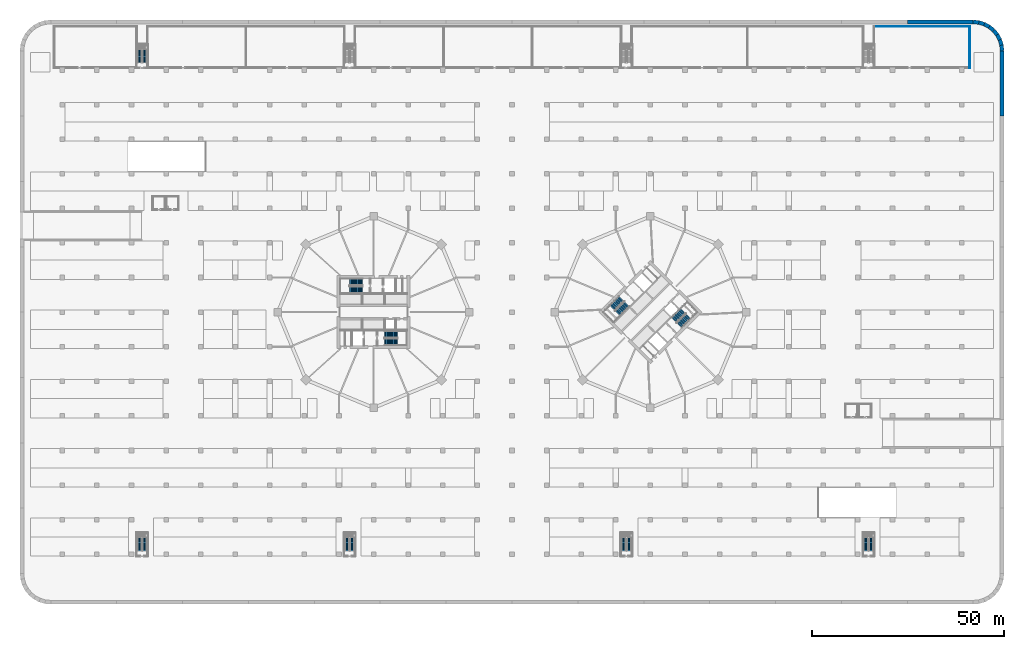
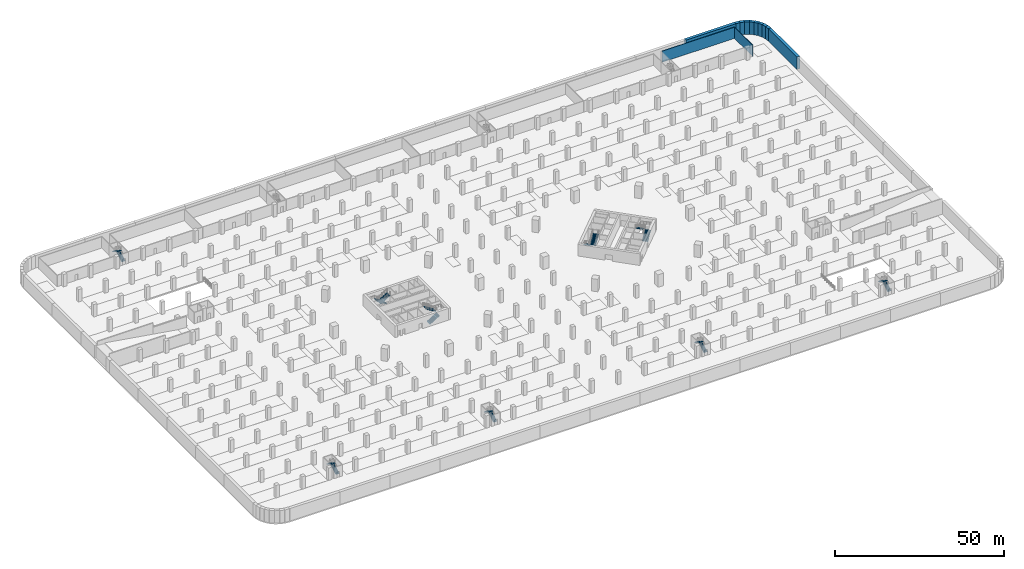
# One storey, part 19 of 34: 18 stair flights, 12 walls, 9 elements without a shape of their own.
"""IFC4 building model written with IfcOpenShell, lengths in metres."""

from ifc_helpers import new_model, si_unit, direction, frame, frame_2d, origin, place, context, subcontext, project, spatial, polyline, rectangle, outline, extrude, material, layer, layer_set, type_object, element, aggregate, save


model = new_model("IFC4")

# Units and contexts
model_context = context("Model", 3, precision=1e-05, world=origin(), true_north=direction((0.0, 1.0)))
body_context = subcontext(model_context, "Body", "Model", "MODEL_VIEW")
ifc_project = project(units=[si_unit("LENGTHUNIT", "METRE"), si_unit("AREAUNIT", "SQUARE_METRE"), si_unit("VOLUMEUNIT", "CUBIC_METRE"), si_unit("PLANEANGLEUNIT", "RADIAN"), si_unit("MASSUNIT", "GRAM", prefix="KILO")], contexts=[model_context])

# Site, building, storey
site_placement = place(None, origin())
site = spatial("IfcSite", under=ifc_project, at=site_placement, CompositionType="ELEMENT")
building_placement = place(site_placement, origin())
building = spatial("IfcBuilding", under=site, at=building_placement, Name="Ogive Gate Towers", CompositionType="ELEMENT")
storey_placement = place(building_placement, frame((0.0, 0.0, -4.5)))
storey = spatial("IfcBuildingStorey", under=building, at=storey_placement, Name="B1", CompositionType="ELEMENT", Elevation=-4.5)

# Walls
ifc_material_1 = material(Name="Blockwork", Category="masonry")
ifc_layer_1 = layer(ifc_material_1, 0.199951171875)
ifc_layer_set_1 = layer_set([ifc_layer_1], Name="Plant room wall 200")
wall_type_1 = type_object("IfcWallType", Name="Plant room wall 200", PredefinedType="PARTITIONING", material=ifc_layer_set_1)
wall_1_placement = place(storey_placement, frame((119.10009765625, 63.5, 0.0), z_axis=(0.0, 0.0, 1.0), x_axis=(0.0, 1.0, 0.0)))
element("IfcWall", 1, at=wall_1_placement, inside=storey, type_object=wall_type_1, Name="Plant room wall B1-022", PredefinedType="PARTITIONING", context=body_context, shape_type="SweptSolid", body=[
    extrude(rectangle(XDim=10.89990234375, YDim=0.199951171875, at=frame_2d((5.449951171875, 0.0))), origin(), (0.0, 0.0, 1.0), 4.050048828125),
])
wall_2_placement = place(storey_placement, frame((94.25, 74.300048828125, 0.0), z_axis=(0.0, 0.0, 1.0), x_axis=(1.0, 0.0, 0.0)))
element("IfcWall", 2, at=wall_2_placement, inside=storey, type_object=wall_type_1, Name="Plant room wall B1-048", PredefinedType="PARTITIONING", context=body_context, shape_type="SweptSolid", body=[
    extrude(rectangle(XDim=24.75, YDim=0.199951171875, at=frame_2d((12.375, 0.0))), origin(), (0.0, 0.0, 1.0), 4.050048828125),
])
ifc_material_2 = material(Name="Concrete C40/50", Category="concrete")
ifc_layer_2 = layer(ifc_material_2, 1.0)
ifc_layer_set_2 = layer_set([ifc_layer_2], Name="Retaining wall 1000")
wall_type_2 = type_object("IfcWallType", Name="Retaining wall 1000", PredefinedType="SOLIDWALL", material=ifc_layer_set_2)
wall_3_placement = place(storey_placement, frame((102.836181640625, 75.5, 0.0), z_axis=(0.0, 0.0, 1.0), x_axis=(1.0, 0.0, 0.0)))
element("IfcWall", 3, at=wall_3_placement, inside=storey, type_object=wall_type_2, Name="BS/B1/SWL053", PredefinedType="SOLIDWALL", context=body_context, shape_type="SweptSolid", body=[
    extrude(rectangle(XDim=17.13916015625, YDim=1.0, at=frame_2d((8.569580078125, 0.0))), origin(), (0.0, 0.0, 1.0), 4.5),
])
wall_4_placement = place(storey_placement, frame((119.975341796875, 75.5, 0.0), z_axis=(0.0, 0.0, 1.0), x_axis=(0.995184880112, -0.098015582414, 0.0)))
element("IfcWall", 4, at=wall_4_placement, inside=storey, type_object=wall_type_2, Name="BS/B1/SWL054", PredefinedType="SOLIDWALL", context=body_context, shape_type="SweptSolid", body=[
    extrude(rectangle(XDim=1.494384765625, YDim=1.0, at=frame_2d((0.7470703125, 0.0))), origin(), (0.0, 0.0, 1.0), 4.5),
])
for number, where, z_axis, x_axis, name in (
    (5, (121.462646484375, 75.353515625, 0.0), (0.0, 0.0, 1.0), (0.956920965645, -0.290348524206, 0.0), "BS/B1/SWL055"),
    (6, (122.869140625, 74.9267578125, 0.0), (0.0, 0.0, 1.0), (0.882007853381, -0.471234704339, 0.0), "BS/B1/SWL056"),
    (7, (124.16552734375, 74.234130859375, 0.0), (0.0, 0.0, 1.0), (0.772897900132, -0.634530405868, 0.0), "BS/B1/SWL057"),
    (8, (125.301513671875, 73.301513671875, 0.0), (0.0, 0.0, 1.0), (0.634530405868, -0.772897900132, 0.0), "BS/B1/SWL058"),
    (9, (126.234130859375, 72.16552734375, 0.0), (0.0, 0.0, 1.0), (0.471234704339, -0.882007853381, 0.0), "BS/B1/SWL059"),
    (10, (126.9267578125, 70.869140625, 0.0), (0.0, 0.0, 1.0), (0.290348524206, -0.956920965645, 0.0), "BS/B1/SWL060"),
):
    element("IfcWall", number, at=place(storey_placement, frame(where, z_axis=z_axis, x_axis=x_axis)), inside=storey, type_object=wall_type_2, Name=name, PredefinedType="SOLIDWALL", context=body_context, shape_type="SweptSolid", body=[
        extrude(rectangle(XDim=1.4697265625, YDim=1.0, at=frame_2d((0.73486328125, 0.0))), origin(), (0.0, 0.0, 1.0), 4.5),
    ])
wall_5_placement = place(storey_placement, frame((127.353515625, 69.462646484375, 0.0), z_axis=(0.0, 0.0, 1.0), x_axis=(0.098015582414, -0.995184880112, 0.0)))
element("IfcWall", 11, at=wall_5_placement, inside=storey, type_object=wall_type_2, Name="BS/B1/SWL061", PredefinedType="SOLIDWALL", context=body_context, shape_type="SweptSolid", body=[
    extrude(rectangle(XDim=1.494384765625, YDim=1.0, at=frame_2d((0.7470703125, 0.0))), origin(), (0.0, 0.0, 1.0), 4.5),
])
wall_6_placement = place(storey_placement, frame((127.5, 67.975341796875, 0.0), z_axis=(0.0, 0.0, 1.0), x_axis=(0.0, -1.0, 0.0)))
element("IfcWall", 12, at=wall_6_placement, inside=storey, type_object=wall_type_2, Name="BS/B1/SWL062", PredefinedType="SOLIDWALL", context=body_context, shape_type="SweptSolid", body=[
    extrude(rectangle(XDim=16.99365234375, YDim=1.0, at=frame_2d((8.496826171875, 0.0))), origin(), (0.0, 0.0, 1.0), 4.5),
])

# Stair, stair flights
ifc_material_3 = material(Name="Reinforced concrete C32/40", Category="concrete")
stair_type_1 = type_object("IfcStairType", Name="Car park escape stair 173 x 280", PredefinedType="HALF_TURN_STAIR", material=ifc_material_3)
stair_1_placement = place(storey_placement, origin())
stair_1 = element("IfcStair", 13, at=stair_1_placement, inside=storey, type_object=stair_type_1, Name="B1 escape stair", PredefinedType="HALF_TURN_STAIR")
stair_flight_type_1 = type_object("IfcStairFlightType", Name="Car park escape stair flight 173 x 280", PredefinedType="STRAIGHT", material=ifc_material_3)
stair_flight_1_placement = place(storey_placement, frame((-95.550048828125, 64.89990234375, 0.0), z_axis=(0.0, 0.0, 1.0), x_axis=(0.0, 1.0, 0.0)))
stair_flight_1 = element("IfcStairFlight", 14, at=stair_flight_1_placement, type_object=stair_flight_type_1, Name="CS1 flight 1", NumberOfRisers=13, NumberOfTreads=12, PredefinedType="STRAIGHT", RiserHeight=0.173076923, TreadLength=0.28, context=body_context, shape_type="SweptSolid", body=[
    extrude(outline(polyline([(0.0, 0.0), (0.0, 0.173095703125), (0.280029296875, 0.173095703125), (0.280029296875, 0.34619140625), (0.56005859375, 0.34619140625), (0.56005859375, 0.519287109375), (0.840087890625, 0.519287109375), (0.840087890625, 0.6923828125), (1.1201171875, 0.6923828125), (1.1201171875, 0.865478515625), (1.39990234375, 0.865478515625), (1.39990234375, 1.03857421875), (1.679931640625, 1.03857421875), (1.679931640625, 1.21142578125), (1.9599609375, 1.21142578125), (1.9599609375, 1.384521484375), (2.239990234375, 1.384521484375), (2.239990234375, 1.5576171875), (2.52001953125, 1.5576171875), (2.52001953125, 1.730712890625), (2.800048828125, 1.730712890625), (2.800048828125, 1.90380859375), (3.080078125, 1.90380859375), (3.080078125, 2.076904296875), (3.360107421875, 2.076904296875), (3.360107421875, 2.25), (3.360107421875, 1.900634765625), (0.28515625, 0.0), (0.0, 0.0)])), frame((0.0, 0.60009765625, 0.0), z_axis=(0.0, -1.0, 0.0), x_axis=(1.0, 0.0, 0.0)), (0.0, 0.0, 1.0), 1.199951171875),
])
stair_flight_2_placement = place(storey_placement, frame((-96.89990234375, 68.260009765625, 2.25), z_axis=(0.0, 0.0, 1.0), x_axis=(0.0, -1.0, 0.0)))
stair_flight_2 = element("IfcStairFlight", 15, at=stair_flight_2_placement, type_object=stair_flight_type_1, Name="CS1 flight 2", NumberOfRisers=13, NumberOfTreads=12, PredefinedType="STRAIGHT", RiserHeight=0.173076923, TreadLength=0.28, context=body_context, shape_type="SweptSolid", body=[
    extrude(outline(polyline([(0.0, 0.0), (0.0, 0.173095703125), (0.280029296875, 0.173095703125), (0.280029296875, 0.34619140625), (0.56005859375, 0.34619140625), (0.56005859375, 0.519287109375), (0.840087890625, 0.519287109375), (0.840087890625, 0.6923828125), (1.1201171875, 0.6923828125), (1.1201171875, 0.865478515625), (1.39990234375, 0.865478515625), (1.39990234375, 1.03857421875), (1.679931640625, 1.03857421875), (1.679931640625, 1.21142578125), (1.9599609375, 1.21142578125), (1.9599609375, 1.384521484375), (2.239990234375, 1.384521484375), (2.239990234375, 1.5576171875), (2.52001953125, 1.5576171875), (2.52001953125, 1.730712890625), (2.800048828125, 1.730712890625), (2.800048828125, 1.90380859375), (3.080078125, 1.90380859375), (3.080078125, 2.076904296875), (3.360107421875, 2.076904296875), (3.360107421875, 2.25), (3.360107421875, 1.900634765625), (0.28515625, 0.0), (0.0, 0.0)])), frame((0.0, 0.60009765625, 0.0), z_axis=(0.0, -1.0, 0.0), x_axis=(1.0, 0.0, 0.0)), (0.0, 0.0, 1.0), 1.199951171875),
])
aggregate(stair_1, [stair_flight_1, stair_flight_2])

stair_2_placement = place(storey_placement, origin())
stair_2 = element("IfcStair", 16, at=stair_2_placement, inside=storey, type_object=stair_type_1, Name="B1 escape stair", PredefinedType="HALF_TURN_STAIR")
stair_flight_3_placement = place(storey_placement, frame((-95.550048828125, -62.10009765625, 0.0), z_axis=(0.0, 0.0, 1.0), x_axis=(0.0, 1.0, 0.0)))
stair_flight_3 = element("IfcStairFlight", 17, at=stair_flight_3_placement, type_object=stair_flight_type_1, Name="CS5 flight 1", NumberOfRisers=13, NumberOfTreads=12, PredefinedType="STRAIGHT", RiserHeight=0.173076923, TreadLength=0.28, context=body_context, shape_type="SweptSolid", body=[
    extrude(outline(polyline([(0.0, 0.0), (0.0, 0.173095703125), (0.280029296875, 0.173095703125), (0.280029296875, 0.34619140625), (0.56005859375, 0.34619140625), (0.56005859375, 0.519287109375), (0.840087890625, 0.519287109375), (0.840087890625, 0.6923828125), (1.1201171875, 0.6923828125), (1.1201171875, 0.865478515625), (1.39990234375, 0.865478515625), (1.39990234375, 1.03857421875), (1.679931640625, 1.03857421875), (1.679931640625, 1.21142578125), (1.9599609375, 1.21142578125), (1.9599609375, 1.384521484375), (2.239990234375, 1.384521484375), (2.239990234375, 1.5576171875), (2.52001953125, 1.5576171875), (2.52001953125, 1.730712890625), (2.800048828125, 1.730712890625), (2.800048828125, 1.90380859375), (3.080078125, 1.90380859375), (3.080078125, 2.076904296875), (3.360107421875, 2.076904296875), (3.360107421875, 2.25), (3.360107421875, 1.900634765625), (0.28515625, 0.0), (0.0, 0.0)])), frame((0.0, 0.60009765625, 0.0), z_axis=(0.0, -1.0, 0.0), x_axis=(1.0, 0.0, 0.0)), (0.0, 0.0, 1.0), 1.199951171875),
])
stair_flight_4_placement = place(storey_placement, frame((-96.89990234375, -58.739990234375, 2.25), z_axis=(0.0, 0.0, 1.0), x_axis=(0.0, -1.0, 0.0)))
stair_flight_4 = element("IfcStairFlight", 18, at=stair_flight_4_placement, type_object=stair_flight_type_1, Name="CS5 flight 2", NumberOfRisers=13, NumberOfTreads=12, PredefinedType="STRAIGHT", RiserHeight=0.173076923, TreadLength=0.28, context=body_context, shape_type="SweptSolid", body=[
    extrude(outline(polyline([(0.0, 0.0), (0.0, 0.173095703125), (0.280029296875, 0.173095703125), (0.280029296875, 0.34619140625), (0.56005859375, 0.34619140625), (0.56005859375, 0.519287109375), (0.840087890625, 0.519287109375), (0.840087890625, 0.6923828125), (1.1201171875, 0.6923828125), (1.1201171875, 0.865478515625), (1.39990234375, 0.865478515625), (1.39990234375, 1.03857421875), (1.679931640625, 1.03857421875), (1.679931640625, 1.21142578125), (1.9599609375, 1.21142578125), (1.9599609375, 1.384521484375), (2.239990234375, 1.384521484375), (2.239990234375, 1.5576171875), (2.52001953125, 1.5576171875), (2.52001953125, 1.730712890625), (2.800048828125, 1.730712890625), (2.800048828125, 1.90380859375), (3.080078125, 1.90380859375), (3.080078125, 2.076904296875), (3.360107421875, 2.076904296875), (3.360107421875, 2.25), (3.360107421875, 1.900634765625), (0.28515625, 0.0), (0.0, 0.0)])), frame((0.0, 0.60009765625, 0.0), z_axis=(0.0, -1.0, 0.0), x_axis=(1.0, 0.0, 0.0)), (0.0, 0.0, 1.0), 1.199951171875),
])
aggregate(stair_2, [stair_flight_3, stair_flight_4])

stair_3_placement = place(storey_placement, origin())
stair_3 = element("IfcStair", 19, at=stair_3_placement, inside=storey, type_object=stair_type_1, Name="B1 escape stair", PredefinedType="HALF_TURN_STAIR")
stair_flight_5_placement = place(storey_placement, frame((-41.550048828125, -62.10009765625, 0.0), z_axis=(0.0, 0.0, 1.0), x_axis=(0.0, 1.0, 0.0)))
stair_flight_5 = element("IfcStairFlight", 20, at=stair_flight_5_placement, type_object=stair_flight_type_1, Name="CS6 flight 1", NumberOfRisers=13, NumberOfTreads=12, PredefinedType="STRAIGHT", RiserHeight=0.173076923, TreadLength=0.28, context=body_context, shape_type="SweptSolid", body=[
    extrude(outline(polyline([(0.0, 0.0), (0.0, 0.173095703125), (0.280029296875, 0.173095703125), (0.280029296875, 0.34619140625), (0.56005859375, 0.34619140625), (0.56005859375, 0.519287109375), (0.840087890625, 0.519287109375), (0.840087890625, 0.6923828125), (1.1201171875, 0.6923828125), (1.1201171875, 0.865478515625), (1.39990234375, 0.865478515625), (1.39990234375, 1.03857421875), (1.679931640625, 1.03857421875), (1.679931640625, 1.21142578125), (1.9599609375, 1.21142578125), (1.9599609375, 1.384521484375), (2.239990234375, 1.384521484375), (2.239990234375, 1.5576171875), (2.52001953125, 1.5576171875), (2.52001953125, 1.730712890625), (2.800048828125, 1.730712890625), (2.800048828125, 1.90380859375), (3.080078125, 1.90380859375), (3.080078125, 2.076904296875), (3.360107421875, 2.076904296875), (3.360107421875, 2.25), (3.360107421875, 1.900634765625), (0.28515625, 0.0), (0.0, 0.0)])), frame((0.0, 0.60009765625, 0.0), z_axis=(0.0, -1.0, 0.0), x_axis=(1.0, 0.0, 0.0)), (0.0, 0.0, 1.0), 1.199951171875),
])
stair_flight_6_placement = place(storey_placement, frame((-42.89990234375, -58.739990234375, 2.25), z_axis=(0.0, 0.0, 1.0), x_axis=(0.0, -1.0, 0.0)))
stair_flight_6 = element("IfcStairFlight", 21, at=stair_flight_6_placement, type_object=stair_flight_type_1, Name="CS6 flight 2", NumberOfRisers=13, NumberOfTreads=12, PredefinedType="STRAIGHT", RiserHeight=0.173076923, TreadLength=0.28, context=body_context, shape_type="SweptSolid", body=[
    extrude(outline(polyline([(0.0, 0.0), (0.0, 0.173095703125), (0.280029296875, 0.173095703125), (0.280029296875, 0.34619140625), (0.56005859375, 0.34619140625), (0.56005859375, 0.519287109375), (0.840087890625, 0.519287109375), (0.840087890625, 0.6923828125), (1.1201171875, 0.6923828125), (1.1201171875, 0.865478515625), (1.39990234375, 0.865478515625), (1.39990234375, 1.03857421875), (1.679931640625, 1.03857421875), (1.679931640625, 1.21142578125), (1.9599609375, 1.21142578125), (1.9599609375, 1.384521484375), (2.239990234375, 1.384521484375), (2.239990234375, 1.5576171875), (2.52001953125, 1.5576171875), (2.52001953125, 1.730712890625), (2.800048828125, 1.730712890625), (2.800048828125, 1.90380859375), (3.080078125, 1.90380859375), (3.080078125, 2.076904296875), (3.360107421875, 2.076904296875), (3.360107421875, 2.25), (3.360107421875, 1.900634765625), (0.28515625, 0.0), (0.0, 0.0)])), frame((0.0, 0.60009765625, 0.0), z_axis=(0.0, -1.0, 0.0), x_axis=(1.0, 0.0, 0.0)), (0.0, 0.0, 1.0), 1.199951171875),
])
aggregate(stair_3, [stair_flight_5, stair_flight_6])

stair_4_placement = place(storey_placement, origin())
stair_4 = element("IfcStair", 22, at=stair_4_placement, inside=storey, type_object=stair_type_1, Name="B1 escape stair", PredefinedType="HALF_TURN_STAIR")
stair_flight_7_placement = place(storey_placement, frame((30.449951171875, -62.10009765625, 0.0), z_axis=(0.0, 0.0, 1.0), x_axis=(0.0, 1.0, 0.0)))
stair_flight_7 = element("IfcStairFlight", 23, at=stair_flight_7_placement, type_object=stair_flight_type_1, Name="CS7 flight 1", NumberOfRisers=13, NumberOfTreads=12, PredefinedType="STRAIGHT", RiserHeight=0.173076923, TreadLength=0.28, context=body_context, shape_type="SweptSolid", body=[
    extrude(outline(polyline([(0.0, 0.0), (0.0, 0.173095703125), (0.280029296875, 0.173095703125), (0.280029296875, 0.34619140625), (0.56005859375, 0.34619140625), (0.56005859375, 0.519287109375), (0.840087890625, 0.519287109375), (0.840087890625, 0.6923828125), (1.1201171875, 0.6923828125), (1.1201171875, 0.865478515625), (1.39990234375, 0.865478515625), (1.39990234375, 1.03857421875), (1.679931640625, 1.03857421875), (1.679931640625, 1.21142578125), (1.9599609375, 1.21142578125), (1.9599609375, 1.384521484375), (2.239990234375, 1.384521484375), (2.239990234375, 1.5576171875), (2.52001953125, 1.5576171875), (2.52001953125, 1.730712890625), (2.800048828125, 1.730712890625), (2.800048828125, 1.90380859375), (3.080078125, 1.90380859375), (3.080078125, 2.076904296875), (3.360107421875, 2.076904296875), (3.360107421875, 2.25), (3.360107421875, 1.900634765625), (0.28515625, 0.0), (0.0, 0.0)])), frame((0.0, 0.60009765625, 0.0), z_axis=(0.0, -1.0, 0.0), x_axis=(1.0, 0.0, 0.0)), (0.0, 0.0, 1.0), 1.199951171875),
])
stair_flight_8_placement = place(storey_placement, frame((29.10009765625, -58.739990234375, 2.25), z_axis=(0.0, 0.0, 1.0), x_axis=(0.0, -1.0, 0.0)))
stair_flight_8 = element("IfcStairFlight", 24, at=stair_flight_8_placement, type_object=stair_flight_type_1, Name="CS7 flight 2", NumberOfRisers=13, NumberOfTreads=12, PredefinedType="STRAIGHT", RiserHeight=0.173076923, TreadLength=0.28, context=body_context, shape_type="SweptSolid", body=[
    extrude(outline(polyline([(0.0, 0.0), (0.0, 0.173095703125), (0.280029296875, 0.173095703125), (0.280029296875, 0.34619140625), (0.56005859375, 0.34619140625), (0.56005859375, 0.519287109375), (0.840087890625, 0.519287109375), (0.840087890625, 0.6923828125), (1.1201171875, 0.6923828125), (1.1201171875, 0.865478515625), (1.39990234375, 0.865478515625), (1.39990234375, 1.03857421875), (1.679931640625, 1.03857421875), (1.679931640625, 1.21142578125), (1.9599609375, 1.21142578125), (1.9599609375, 1.384521484375), (2.239990234375, 1.384521484375), (2.239990234375, 1.5576171875), (2.52001953125, 1.5576171875), (2.52001953125, 1.730712890625), (2.800048828125, 1.730712890625), (2.800048828125, 1.90380859375), (3.080078125, 1.90380859375), (3.080078125, 2.076904296875), (3.360107421875, 2.076904296875), (3.360107421875, 2.25), (3.360107421875, 1.900634765625), (0.28515625, 0.0), (0.0, 0.0)])), frame((0.0, 0.60009765625, 0.0), z_axis=(0.0, -1.0, 0.0), x_axis=(1.0, 0.0, 0.0)), (0.0, 0.0, 1.0), 1.199951171875),
])
aggregate(stair_4, [stair_flight_7, stair_flight_8])

stair_5_placement = place(storey_placement, origin())
stair_5 = element("IfcStair", 25, at=stair_5_placement, inside=storey, type_object=stair_type_1, Name="B1 escape stair", PredefinedType="HALF_TURN_STAIR")
stair_flight_9_placement = place(storey_placement, frame((93.449951171875, -62.10009765625, 0.0), z_axis=(0.0, 0.0, 1.0), x_axis=(0.0, 1.0, 0.0)))
stair_flight_9 = element("IfcStairFlight", 26, at=stair_flight_9_placement, type_object=stair_flight_type_1, Name="CS8 flight 1", NumberOfRisers=13, NumberOfTreads=12, PredefinedType="STRAIGHT", RiserHeight=0.173076923, TreadLength=0.28, context=body_context, shape_type="SweptSolid", body=[
    extrude(outline(polyline([(0.0, 0.0), (0.0, 0.173095703125), (0.280029296875, 0.173095703125), (0.280029296875, 0.34619140625), (0.56005859375, 0.34619140625), (0.56005859375, 0.519287109375), (0.840087890625, 0.519287109375), (0.840087890625, 0.6923828125), (1.1201171875, 0.6923828125), (1.1201171875, 0.865478515625), (1.39990234375, 0.865478515625), (1.39990234375, 1.03857421875), (1.679931640625, 1.03857421875), (1.679931640625, 1.21142578125), (1.9599609375, 1.21142578125), (1.9599609375, 1.384521484375), (2.239990234375, 1.384521484375), (2.239990234375, 1.5576171875), (2.52001953125, 1.5576171875), (2.52001953125, 1.730712890625), (2.800048828125, 1.730712890625), (2.800048828125, 1.90380859375), (3.080078125, 1.90380859375), (3.080078125, 2.076904296875), (3.360107421875, 2.076904296875), (3.360107421875, 2.25), (3.360107421875, 1.900634765625), (0.28515625, 0.0), (0.0, 0.0)])), frame((0.0, 0.60009765625, 0.0), z_axis=(0.0, -1.0, 0.0), x_axis=(1.0, 0.0, 0.0)), (0.0, 0.0, 1.0), 1.199951171875),
])
stair_flight_10_placement = place(storey_placement, frame((92.10009765625, -58.739990234375, 2.25), z_axis=(0.0, 0.0, 1.0), x_axis=(0.0, -1.0, 0.0)))
stair_flight_10 = element("IfcStairFlight", 27, at=stair_flight_10_placement, type_object=stair_flight_type_1, Name="CS8 flight 2", NumberOfRisers=13, NumberOfTreads=12, PredefinedType="STRAIGHT", RiserHeight=0.173076923, TreadLength=0.28, context=body_context, shape_type="SweptSolid", body=[
    extrude(outline(polyline([(0.0, 0.0), (0.0, 0.173095703125), (0.280029296875, 0.173095703125), (0.280029296875, 0.34619140625), (0.56005859375, 0.34619140625), (0.56005859375, 0.519287109375), (0.840087890625, 0.519287109375), (0.840087890625, 0.6923828125), (1.1201171875, 0.6923828125), (1.1201171875, 0.865478515625), (1.39990234375, 0.865478515625), (1.39990234375, 1.03857421875), (1.679931640625, 1.03857421875), (1.679931640625, 1.21142578125), (1.9599609375, 1.21142578125), (1.9599609375, 1.384521484375), (2.239990234375, 1.384521484375), (2.239990234375, 1.5576171875), (2.52001953125, 1.5576171875), (2.52001953125, 1.730712890625), (2.800048828125, 1.730712890625), (2.800048828125, 1.90380859375), (3.080078125, 1.90380859375), (3.080078125, 2.076904296875), (3.360107421875, 2.076904296875), (3.360107421875, 2.25), (3.360107421875, 1.900634765625), (0.28515625, 0.0), (0.0, 0.0)])), frame((0.0, 0.60009765625, 0.0), z_axis=(0.0, -1.0, 0.0), x_axis=(1.0, 0.0, 0.0)), (0.0, 0.0, 1.0), 1.199951171875),
])
aggregate(stair_5, [stair_flight_9, stair_flight_10])

stair_type_2 = type_object("IfcStairType", Name="Escape stair 1840 wide", PredefinedType="HALF_TURN_STAIR", material=ifc_material_2)
stair_6_placement = place(storey_placement, origin())
stair_6 = element("IfcStair", 28, at=stair_6_placement, inside=storey, type_object=stair_type_2, Name="B1 Escape stair 1", PredefinedType="HALF_TURN_STAIR")
stair_flight_type_2 = type_object("IfcStairFlightType", Name="Stair flight 1840 wide", PredefinedType="STRAIGHT", material=ifc_material_2)
stair_flight_11_placement = place(storey_placement, frame((-38.864990234375, 7.780029296875, 0.0), z_axis=(0.0, 0.0, 1.0), x_axis=(-1.0, 0.0, 0.0)))
stair_flight_11 = element("IfcStairFlight", 29, at=stair_flight_11_placement, type_object=stair_flight_type_2, Name="ST1 flight 1", NumberOfRisers=13, NumberOfTreads=12, PredefinedType="STRAIGHT", RiserHeight=0.173076923, TreadLength=0.28, context=body_context, shape_type="SweptSolid", body=[
    extrude(outline(polyline([(0.0, 0.0), (0.0, 0.173095703125), (0.280029296875, 0.173095703125), (0.280029296875, 0.34619140625), (0.56005859375, 0.34619140625), (0.56005859375, 0.519287109375), (0.840087890625, 0.519287109375), (0.840087890625, 0.6923828125), (1.1201171875, 0.6923828125), (1.1201171875, 0.865478515625), (1.39990234375, 0.865478515625), (1.39990234375, 1.03857421875), (1.679931640625, 1.03857421875), (1.679931640625, 1.21142578125), (1.9599609375, 1.21142578125), (1.9599609375, 1.384521484375), (2.239990234375, 1.384521484375), (2.239990234375, 1.5576171875), (2.52001953125, 1.5576171875), (2.52001953125, 1.730712890625), (2.800048828125, 1.730712890625), (2.800048828125, 1.90380859375), (3.080078125, 1.90380859375), (3.080078125, 2.076904296875), (3.360107421875, 2.076904296875), (3.360107421875, 2.25), (3.360107421875, 1.900634765625), (0.28515625, 0.0), (0.0, 0.0)])), frame((0.0, 0.919921875, 0.0), z_axis=(0.0, -1.0, 0.0), x_axis=(1.0, 0.0, 0.0)), (0.0, 0.0, 1.0), 1.840087890625),
])
stair_flight_12_placement = place(storey_placement, frame((-42.22509765625, 5.794921875, 2.25), z_axis=(0.0, 0.0, 1.0), x_axis=(1.0, 0.0, 0.0)))
stair_flight_12 = element("IfcStairFlight", 30, at=stair_flight_12_placement, type_object=stair_flight_type_2, Name="ST1 flight 2", NumberOfRisers=13, NumberOfTreads=12, PredefinedType="STRAIGHT", RiserHeight=0.173076923, TreadLength=0.28, context=body_context, shape_type="SweptSolid", body=[
    extrude(outline(polyline([(0.0, 0.0), (0.0, 0.173095703125), (0.280029296875, 0.173095703125), (0.280029296875, 0.34619140625), (0.56005859375, 0.34619140625), (0.56005859375, 0.519287109375), (0.840087890625, 0.519287109375), (0.840087890625, 0.6923828125), (1.1201171875, 0.6923828125), (1.1201171875, 0.865478515625), (1.39990234375, 0.865478515625), (1.39990234375, 1.03857421875), (1.679931640625, 1.03857421875), (1.679931640625, 1.21142578125), (1.9599609375, 1.21142578125), (1.9599609375, 1.384521484375), (2.239990234375, 1.384521484375), (2.239990234375, 1.5576171875), (2.52001953125, 1.5576171875), (2.52001953125, 1.730712890625), (2.800048828125, 1.730712890625), (2.800048828125, 1.90380859375), (3.080078125, 1.90380859375), (3.080078125, 2.076904296875), (3.360107421875, 2.076904296875), (3.360107421875, 2.25), (3.360107421875, 1.900634765625), (0.28515625, 0.0), (0.0, 0.0)])), frame((0.0, 0.919921875, 0.0), z_axis=(0.0, -1.0, 0.0), x_axis=(1.0, 0.0, 0.0)), (0.0, 0.0, 1.0), 1.840087890625),
])
aggregate(stair_6, [stair_flight_11, stair_flight_12])

stair_7_placement = place(storey_placement, origin())
stair_7 = element("IfcStair", 31, at=stair_7_placement, inside=storey, type_object=stair_type_2, Name="B1 Escape stair 2", PredefinedType="HALF_TURN_STAIR")
stair_flight_13_placement = place(storey_placement, frame((-33.135009765625, -7.780029296875, 0.0), z_axis=(0.0, 0.0, 1.0), x_axis=(1.0, 0.0, 0.0)))
stair_flight_13 = element("IfcStairFlight", 32, at=stair_flight_13_placement, type_object=stair_flight_type_2, Name="ST2 flight 1", NumberOfRisers=13, NumberOfTreads=12, PredefinedType="STRAIGHT", RiserHeight=0.173076923, TreadLength=0.28, context=body_context, shape_type="SweptSolid", body=[
    extrude(outline(polyline([(0.0, 0.0), (0.0, 0.173095703125), (0.280029296875, 0.173095703125), (0.280029296875, 0.34619140625), (0.56005859375, 0.34619140625), (0.56005859375, 0.519287109375), (0.840087890625, 0.519287109375), (0.840087890625, 0.6923828125), (1.1201171875, 0.6923828125), (1.1201171875, 0.865478515625), (1.39990234375, 0.865478515625), (1.39990234375, 1.03857421875), (1.679931640625, 1.03857421875), (1.679931640625, 1.21142578125), (1.9599609375, 1.21142578125), (1.9599609375, 1.384521484375), (2.239990234375, 1.384521484375), (2.239990234375, 1.5576171875), (2.52001953125, 1.5576171875), (2.52001953125, 1.730712890625), (2.800048828125, 1.730712890625), (2.800048828125, 1.90380859375), (3.080078125, 1.90380859375), (3.080078125, 2.076904296875), (3.360107421875, 2.076904296875), (3.360107421875, 2.25), (3.360107421875, 1.900634765625), (0.28515625, 0.0), (0.0, 0.0)])), frame((0.0, 0.919921875, 0.0), z_axis=(0.0, -1.0, 0.0), x_axis=(1.0, 0.0, 0.0)), (0.0, 0.0, 1.0), 1.840087890625),
])
stair_flight_14_placement = place(storey_placement, frame((-29.77490234375, -5.794921875, 2.25), z_axis=(0.0, 0.0, 1.0), x_axis=(-1.0, 0.0, 0.0)))
stair_flight_14 = element("IfcStairFlight", 33, at=stair_flight_14_placement, type_object=stair_flight_type_2, Name="ST2 flight 2", NumberOfRisers=13, NumberOfTreads=12, PredefinedType="STRAIGHT", RiserHeight=0.173076923, TreadLength=0.28, context=body_context, shape_type="SweptSolid", body=[
    extrude(outline(polyline([(0.0, 0.0), (0.0, 0.173095703125), (0.280029296875, 0.173095703125), (0.280029296875, 0.34619140625), (0.56005859375, 0.34619140625), (0.56005859375, 0.519287109375), (0.840087890625, 0.519287109375), (0.840087890625, 0.6923828125), (1.1201171875, 0.6923828125), (1.1201171875, 0.865478515625), (1.39990234375, 0.865478515625), (1.39990234375, 1.03857421875), (1.679931640625, 1.03857421875), (1.679931640625, 1.21142578125), (1.9599609375, 1.21142578125), (1.9599609375, 1.384521484375), (2.239990234375, 1.384521484375), (2.239990234375, 1.5576171875), (2.52001953125, 1.5576171875), (2.52001953125, 1.730712890625), (2.800048828125, 1.730712890625), (2.800048828125, 1.90380859375), (3.080078125, 1.90380859375), (3.080078125, 2.076904296875), (3.360107421875, 2.076904296875), (3.360107421875, 2.25), (3.360107421875, 1.900634765625), (0.28515625, 0.0), (0.0, 0.0)])), frame((0.0, 0.919921875, 0.0), z_axis=(0.0, -1.0, 0.0), x_axis=(1.0, 0.0, 0.0)), (0.0, 0.0, 1.0), 1.840087890625),
])
aggregate(stair_7, [stair_flight_13, stair_flight_14])

stair_8_placement = place(storey_placement, origin())
stair_8 = element("IfcStair", 34, at=stair_8_placement, inside=storey, type_object=stair_type_2, Name="B1 Escape stair 1", PredefinedType="HALF_TURN_STAIR")
stair_flight_15_placement = place(storey_placement, frame((28.472900390625, 3.475341796875, 0.0), z_axis=(0.0, 0.0, 1.0), x_axis=(-0.707106781187, -0.707106781187, 0.0)))
stair_flight_15 = element("IfcStairFlight", 35, at=stair_flight_15_placement, type_object=stair_flight_type_2, Name="ST1 flight 1", NumberOfRisers=13, NumberOfTreads=12, PredefinedType="STRAIGHT", RiserHeight=0.173076923, TreadLength=0.28, context=body_context, shape_type="SweptSolid", body=[
    extrude(outline(polyline([(0.0, 0.0), (0.0, 0.173095703125), (0.280029296875, 0.173095703125), (0.280029296875, 0.34619140625), (0.56005859375, 0.34619140625), (0.56005859375, 0.519287109375), (0.840087890625, 0.519287109375), (0.840087890625, 0.6923828125), (1.1201171875, 0.6923828125), (1.1201171875, 0.865478515625), (1.39990234375, 0.865478515625), (1.39990234375, 1.03857421875), (1.679931640625, 1.03857421875), (1.679931640625, 1.21142578125), (1.9599609375, 1.21142578125), (1.9599609375, 1.384521484375), (2.239990234375, 1.384521484375), (2.239990234375, 1.5576171875), (2.52001953125, 1.5576171875), (2.52001953125, 1.730712890625), (2.800048828125, 1.730712890625), (2.800048828125, 1.90380859375), (3.080078125, 1.90380859375), (3.080078125, 2.076904296875), (3.360107421875, 2.076904296875), (3.360107421875, 2.25), (3.360107421875, 1.900634765625), (0.28515625, 0.0), (0.0, 0.0)])), frame((0.0, 0.919921875, 0.0), z_axis=(0.0, -1.0, 0.0), x_axis=(1.0, 0.0, 0.0)), (0.0, 0.0, 1.0), 1.840087890625),
])
stair_flight_16_placement = place(storey_placement, frame((27.50048828125, -0.303955078125, 2.25), z_axis=(0.0, 0.0, 1.0), x_axis=(0.707106781187, 0.707106781187, 0.0)))
stair_flight_16 = element("IfcStairFlight", 36, at=stair_flight_16_placement, type_object=stair_flight_type_2, Name="ST1 flight 2", NumberOfRisers=13, NumberOfTreads=12, PredefinedType="STRAIGHT", RiserHeight=0.173076923, TreadLength=0.28, context=body_context, shape_type="SweptSolid", body=[
    extrude(outline(polyline([(0.0, 0.0), (0.0, 0.173095703125), (0.280029296875, 0.173095703125), (0.280029296875, 0.34619140625), (0.56005859375, 0.34619140625), (0.56005859375, 0.519287109375), (0.840087890625, 0.519287109375), (0.840087890625, 0.6923828125), (1.1201171875, 0.6923828125), (1.1201171875, 0.865478515625), (1.39990234375, 0.865478515625), (1.39990234375, 1.03857421875), (1.679931640625, 1.03857421875), (1.679931640625, 1.21142578125), (1.9599609375, 1.21142578125), (1.9599609375, 1.384521484375), (2.239990234375, 1.384521484375), (2.239990234375, 1.5576171875), (2.52001953125, 1.5576171875), (2.52001953125, 1.730712890625), (2.800048828125, 1.730712890625), (2.800048828125, 1.90380859375), (3.080078125, 1.90380859375), (3.080078125, 2.076904296875), (3.360107421875, 2.076904296875), (3.360107421875, 2.25), (3.360107421875, 1.900634765625), (0.28515625, 0.0), (0.0, 0.0)])), frame((0.0, 0.919921875, 0.0), z_axis=(0.0, -1.0, 0.0), x_axis=(1.0, 0.0, 0.0)), (0.0, 0.0, 1.0), 1.840087890625),
])
aggregate(stair_8, [stair_flight_15, stair_flight_16])

stair_9_placement = place(storey_placement, origin())
stair_9 = element("IfcStair", 37, at=stair_9_placement, inside=storey, type_object=stair_type_2, Name="B1 Escape stair 2", PredefinedType="HALF_TURN_STAIR")
stair_flight_17_placement = place(storey_placement, frame((43.527099609375, -3.475341796875, 0.0), z_axis=(0.0, 0.0, 1.0), x_axis=(0.707106781187, 0.707106781187, 0.0)))
stair_flight_17 = element("IfcStairFlight", 38, at=stair_flight_17_placement, type_object=stair_flight_type_2, Name="ST2 flight 1", NumberOfRisers=13, NumberOfTreads=12, PredefinedType="STRAIGHT", RiserHeight=0.173076923, TreadLength=0.28, context=body_context, shape_type="SweptSolid", body=[
    extrude(outline(polyline([(0.0, 0.0), (0.0, 0.173095703125), (0.280029296875, 0.173095703125), (0.280029296875, 0.34619140625), (0.56005859375, 0.34619140625), (0.56005859375, 0.519287109375), (0.840087890625, 0.519287109375), (0.840087890625, 0.6923828125), (1.1201171875, 0.6923828125), (1.1201171875, 0.865478515625), (1.39990234375, 0.865478515625), (1.39990234375, 1.03857421875), (1.679931640625, 1.03857421875), (1.679931640625, 1.21142578125), (1.9599609375, 1.21142578125), (1.9599609375, 1.384521484375), (2.239990234375, 1.384521484375), (2.239990234375, 1.5576171875), (2.52001953125, 1.5576171875), (2.52001953125, 1.730712890625), (2.800048828125, 1.730712890625), (2.800048828125, 1.90380859375), (3.080078125, 1.90380859375), (3.080078125, 2.076904296875), (3.360107421875, 2.076904296875), (3.360107421875, 2.25), (3.360107421875, 1.900634765625), (0.28515625, 0.0), (0.0, 0.0)])), frame((0.0, 0.919921875, 0.0), z_axis=(0.0, -1.0, 0.0), x_axis=(1.0, 0.0, 0.0)), (0.0, 0.0, 1.0), 1.840087890625),
])
stair_flight_18_placement = place(storey_placement, frame((44.49951171875, 0.303955078125, 2.25), z_axis=(0.0, 0.0, 1.0), x_axis=(-0.707106781187, -0.707106781187, 0.0)))
stair_flight_18 = element("IfcStairFlight", 39, at=stair_flight_18_placement, type_object=stair_flight_type_2, Name="ST2 flight 2", NumberOfRisers=13, NumberOfTreads=12, PredefinedType="STRAIGHT", RiserHeight=0.173076923, TreadLength=0.28, context=body_context, shape_type="SweptSolid", body=[
    extrude(outline(polyline([(0.0, 0.0), (0.0, 0.173095703125), (0.280029296875, 0.173095703125), (0.280029296875, 0.34619140625), (0.56005859375, 0.34619140625), (0.56005859375, 0.519287109375), (0.840087890625, 0.519287109375), (0.840087890625, 0.6923828125), (1.1201171875, 0.6923828125), (1.1201171875, 0.865478515625), (1.39990234375, 0.865478515625), (1.39990234375, 1.03857421875), (1.679931640625, 1.03857421875), (1.679931640625, 1.21142578125), (1.9599609375, 1.21142578125), (1.9599609375, 1.384521484375), (2.239990234375, 1.384521484375), (2.239990234375, 1.5576171875), (2.52001953125, 1.5576171875), (2.52001953125, 1.730712890625), (2.800048828125, 1.730712890625), (2.800048828125, 1.90380859375), (3.080078125, 1.90380859375), (3.080078125, 2.076904296875), (3.360107421875, 2.076904296875), (3.360107421875, 2.25), (3.360107421875, 1.900634765625), (0.28515625, 0.0), (0.0, 0.0)])), frame((0.0, 0.919921875, 0.0), z_axis=(0.0, -1.0, 0.0), x_axis=(1.0, 0.0, 0.0)), (0.0, 0.0, 1.0), 1.840087890625),
])
aggregate(stair_9, [stair_flight_17, stair_flight_18])

save(model, "model.ifc")
